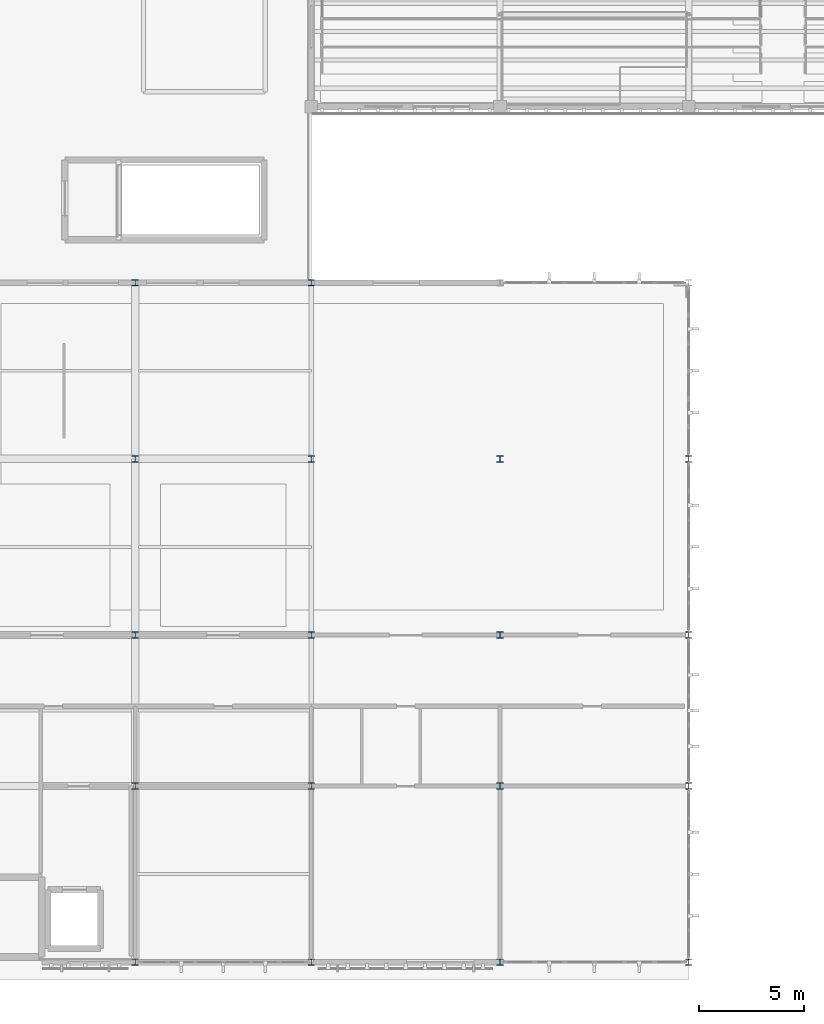
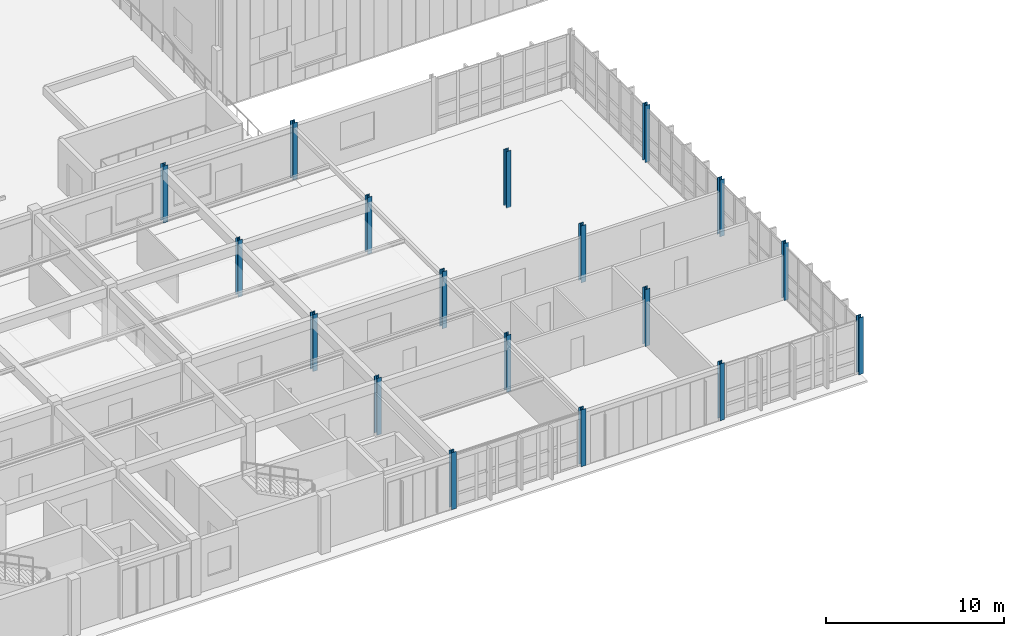
# One storey, part 2 of 67: 18 columns.
"""IFC4 building model written with IfcOpenShell, lengths in metres."""

from ifc_helpers import new_model, si_unit, direction, frame, origin, origin_2d, place, context, subcontext, project, spatial, i_section, extrude, material, material_profile, profile_set, type_object, element, save


model = new_model("IFC4")

# Units and contexts
model_context = context("Model", 3, precision=1e-05, world=origin(), true_north=direction((0.0, 1.0)))
body_context = subcontext(model_context, "Body", "Model", "MODEL_VIEW")
ifc_project = project(units=[si_unit("LENGTHUNIT", "METRE"), si_unit("AREAUNIT", "SQUARE_METRE"), si_unit("VOLUMEUNIT", "CUBIC_METRE"), si_unit("PLANEANGLEUNIT", "RADIAN"), si_unit("MASSUNIT", "GRAM", prefix="KILO")], contexts=[model_context])

# Site, building, storey
site_placement = place(None, origin())
site = spatial("IfcSite", under=ifc_project, at=site_placement, CompositionType="ELEMENT")
building_placement = place(site_placement, origin())
building = spatial("IfcBuilding", under=site, at=building_placement, Name="Tizgana Railside Sports Hall", CompositionType="ELEMENT")
storey_placement = place(building_placement, frame((0.0, 0.0, 12.0)))
storey = spatial("IfcBuildingStorey", under=building, at=storey_placement, Name="L02", CompositionType="ELEMENT", Elevation=12.0)

# Columns
ifc_material = material(Name="Steel S355J2", Category="steel")
ifc_material_profile = material_profile(ifc_material, i_section(OverallWidth=0.300048828125, OverallDepth=0.300048828125, WebThickness=0.010986328125, FlangeThickness=0.01904296875, FilletRadius=0.027099609375, at=origin_2d()), Name="HEB 300")
ifc_profile_set = profile_set([ifc_material_profile], Name="Steel S355J2")
column_type = type_object("IfcColumnType", Name="Steel Column HEB 300", PredefinedType="COLUMN", material=ifc_profile_set)
for number, where, z_axis, x_axis, name in (
    (1, (71.39990234375, 0.0, 0.0), (0.0, 0.0, 1.0), (1.0, 0.0, 0.0), "L02 COL-0779"),
    (2, (71.39990234375, 8.39990234375, 0.0), (0.0, 0.0, 1.0), (1.0, 0.0, 0.0), "L02 COL-0784"),
    (3, (71.39990234375, 15.60009765625, 0.0), (0.0, 0.0, 1.0), (1.0, 0.0, 0.0), "L02 COL-0789"),
    (4, (71.39990234375, 24.0, 0.0), (0.0, 0.0, 1.0), (1.0, 0.0, 0.0), "L02 COL-0794"),
    (5, (71.39990234375, 32.39990234375, 0.0), (0.0, 0.0, 1.0), (1.0, 0.0, 0.0), "L02 COL-0796"),
    (6, (79.800048828125, 0.0, 0.0), (0.0, 0.0, 1.0), (1.0, 0.0, 0.0), "L02 COL-0801"),
    (7, (79.800048828125, 8.39990234375, 0.0), (0.0, 0.0, 1.0), (1.0, 0.0, 0.0), "L02 COL-0806"),
    (8, (79.800048828125, 15.60009765625, 0.0), (0.0, 0.0, 1.0), (1.0, 0.0, 0.0), "L02 COL-0811"),
    (9, (79.800048828125, 24.0, 0.0), (0.0, 0.0, 1.0), (1.0, 0.0, 0.0), "L02 COL-0816"),
    (10, (79.800048828125, 32.39990234375, 0.0), (0.0, 0.0, 1.0), (1.0, 0.0, 0.0), "L02 COL-0818"),
    (11, (88.800048828125, 0.0, 0.0), (0.0, 0.0, 1.0), (1.0, 0.0, 0.0), "L02 COL-0823"),
    (12, (88.800048828125, 8.39990234375, 0.0), (0.0, 0.0, 1.0), (1.0, 0.0, 0.0), "L02 COL-0827"),
    (13, (88.800048828125, 15.60009765625, 0.0), (0.0, 0.0, 1.0), (1.0, 0.0, 0.0), "L02 COL-0831"),
    (14, (88.800048828125, 24.0, 0.0), (0.0, 0.0, 1.0), (1.0, 0.0, 0.0), "L02 COL-0835"),
    (15, (97.800048828125, 0.0, 0.0), (0.0, 0.0, 1.0), (1.0, 0.0, 0.0), "L02 COL-0843"),
    (16, (97.800048828125, 8.39990234375, 0.0), (0.0, 0.0, 1.0), (1.0, 0.0, 0.0), "L02 COL-0847"),
    (17, (97.800048828125, 15.60009765625, 0.0), (0.0, 0.0, 1.0), (1.0, 0.0, 0.0), "L02 COL-0851"),
    (18, (97.800048828125, 24.0, 0.0), (0.0, 0.0, 1.0), (1.0, 0.0, 0.0), "L02 COL-0855"),
):
    element("IfcColumn", number, at=place(storey_placement, frame(where, z_axis=z_axis, x_axis=x_axis)), inside=storey, type_object=column_type, Name=name, PredefinedType="COLUMN", context=body_context, shape_type="SweptSolid", body=[
        extrude(i_section(OverallWidth=0.300048828125, OverallDepth=0.300048828125, WebThickness=0.010986328125, FlangeThickness=0.01904296875, FilletRadius=0.027099609375, at=origin_2d()), origin(), (0.0, 0.0, 1.0), 3.89990234375),
    ])

save(model, "model.ifc")
